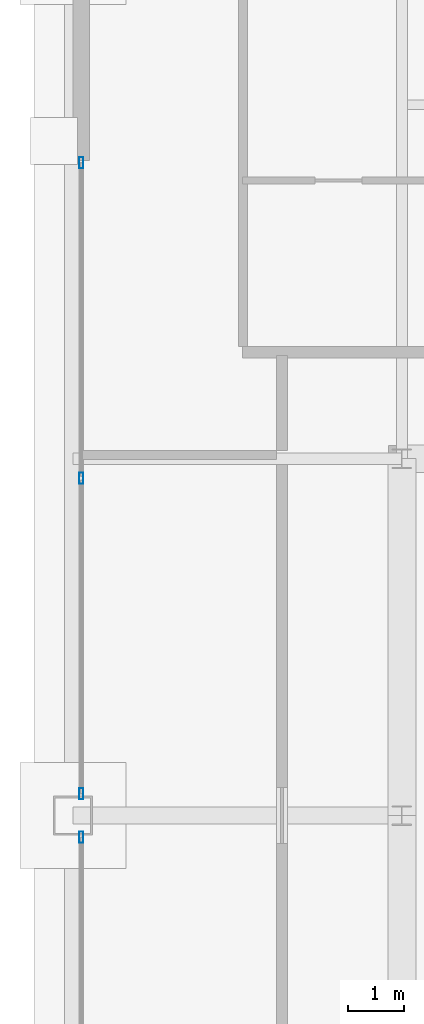
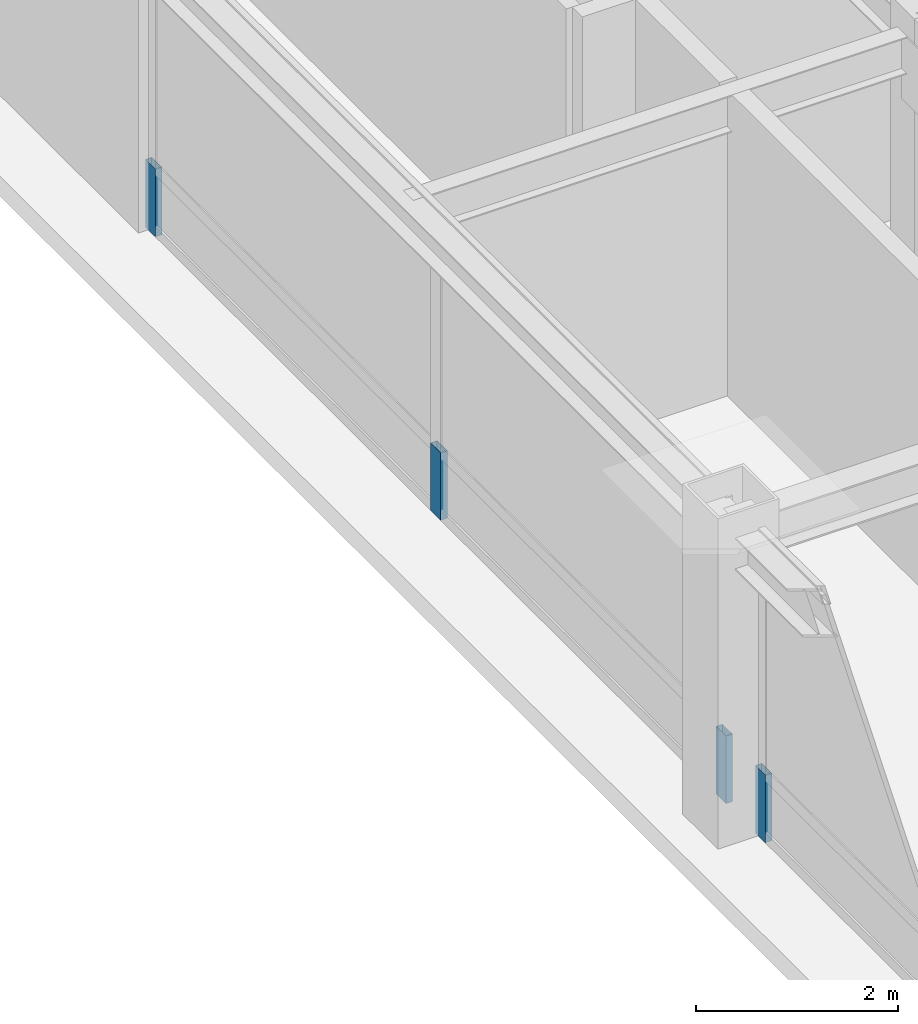
# One storey, part 24 of 34: 4 members, 2 elements without a shape of their own.
"""IFC4 building model written with IfcOpenShell, lengths in metres."""

from ifc_helpers import new_model, si_unit, direction, frame, origin, origin_2d, place, context, subcontext, project, spatial, hollow_rectangle, extrude, source, transform, mapped, material, layer, layer_set, material_profile, profile_set, type_object, element, aggregate, save


model = new_model("IFC4")

# Units and contexts
model_context = context("Model", 3, precision=1e-05, world=origin(), true_north=direction((0.0, 1.0)))
body_context = subcontext(model_context, "Body", "Model", "MODEL_VIEW")
ifc_project = project(units=[si_unit("LENGTHUNIT", "METRE"), si_unit("AREAUNIT", "SQUARE_METRE"), si_unit("VOLUMEUNIT", "CUBIC_METRE"), si_unit("PLANEANGLEUNIT", "RADIAN"), si_unit("MASSUNIT", "GRAM", prefix="KILO"), si_unit("THERMODYNAMICTEMPERATUREUNIT", "KELVIN"), si_unit("POWERUNIT", "WATT")], contexts=[model_context])

# Site, building, storey
site_placement = place(None, origin())
site = spatial("IfcSite", under=ifc_project, at=site_placement, CompositionType="ELEMENT")
building_placement = place(site_placement, origin())
building = spatial("IfcBuilding", under=site, at=building_placement, Name="Yuzanri Waterfront Tower", CompositionType="ELEMENT")
storey_placement = place(building_placement, frame((0.0, 0.0, 347.199951171875)))
storey = spatial("IfcBuildingStorey", under=building, at=storey_placement, Name="L93", CompositionType="ELEMENT", Elevation=347.199951171875)

# Curtain wall, member
ifc_material_1 = material(Name="Anodized Architectural Bronze", Category="metal")
ifc_layer = layer(ifc_material_1, 0.159912109375)
ifc_layer_set = layer_set([ifc_layer], Name="Anodized Architectural Bronze")
curtain_wall_type = type_object("IfcCurtainWallType", Name="Anodized Bronze High-Rise Penthouse High-Wind Unitized Curtain Wall 6900", PredefinedType="NOTDEFINED", material=ifc_layer_set)
curtain_wall_1_placement = place(storey_placement, origin())
curtain_wall_1 = element("IfcCurtainWall", 1, at=curtain_wall_1_placement, inside=storey, type_object=curtain_wall_type, Name="L93 Curtain Wall CW-L93-WL", PredefinedType="NOTDEFINED")
ifc_material_2 = material(Name="Anodized Architectural Bronze", Category="metal")
ifc_material_profile = material_profile(ifc_material_2, hollow_rectangle(XDim=0.074951171875, YDim=0.199951171875, WallThickness=0.00390625, at=origin_2d()), Name="CWM 75x200")
ifc_profile_set = profile_set([ifc_material_profile], Name="Anodized Architectural Bronze")
member_type = type_object("IfcMemberType", Name="Anodized Bronze Primary Curtain-Wall Mullion 75x200", PredefinedType="MULLION", material=ifc_profile_set)
shared_shape = source(origin(), body_context, "Body", "SweptSolid", [
    extrude(hollow_rectangle(XDim=0.074951171875, YDim=0.199951171875, WallThickness=0.00390625, at=origin_2d()), origin(), (0.0, 0.0, 1.0), 0.818115234375),
])
member_1_placement = place(storey_placement, frame((18.050048828125, 25.409912109375, 0.0), z_axis=(0.0, 0.0, 1.0), x_axis=(1.0, 0.0, 0.0)))
member_1 = element("IfcMember", 2, at=member_1_placement, type_object=member_type, Name="CW-L93-WL Lower Mullion 02", PredefinedType="MULLION", context=body_context, shape_type="MappedRepresentation", body=[
    mapped(shared_shape, transform((0.0, 0.0, 0.0), scale=1.0)),
])
aggregate(curtain_wall_1, [member_1])

# Curtain wall, members
curtain_wall_2_placement = place(storey_placement, origin())
curtain_wall_2 = element("IfcCurtainWall", 3, at=curtain_wall_2_placement, inside=storey, type_object=curtain_wall_type, Name="L93 Curtain Wall CW-L93-WR", PredefinedType="NOTDEFINED")
member_2_placement = place(storey_placement, frame((18.050048828125, 26.18994140625, 0.0), z_axis=(0.0, 0.0, 1.0), x_axis=(1.0, 0.0, 0.0)))
member_2 = element("IfcMember", 4, at=member_2_placement, type_object=member_type, Name="CW-L93-WR Lower Mullion 00", PredefinedType="MULLION", context=body_context, shape_type="MappedRepresentation", body=[
    mapped(shared_shape, transform((0.0, 0.0, 0.0), scale=1.0)),
])
member_3_placement = place(storey_placement, frame((18.050048828125, 31.85009765625, 0.0), z_axis=(0.0, 0.0, 1.0), x_axis=(1.0, 0.0, 0.0)))
member_3 = element("IfcMember", 5, at=member_3_placement, type_object=member_type, Name="CW-L93-WR Lower Mullion 01", PredefinedType="MULLION", context=body_context, shape_type="MappedRepresentation", body=[
    mapped(shared_shape, transform((0.0, 0.0, 0.0), scale=1.0)),
])
member_4_placement = place(storey_placement, frame((18.050048828125, 37.510009765625, 0.0), z_axis=(0.0, 0.0, 1.0), x_axis=(1.0, 0.0, 0.0)))
member_4 = element("IfcMember", 6, at=member_4_placement, type_object=member_type, Name="CW-L93-WR Lower Mullion 02", PredefinedType="MULLION", context=body_context, shape_type="MappedRepresentation", body=[
    mapped(shared_shape, transform((0.0, 0.0, 0.0), scale=1.0)),
])
aggregate(curtain_wall_2, [member_2, member_3, member_4])

save(model, "model.ifc")
